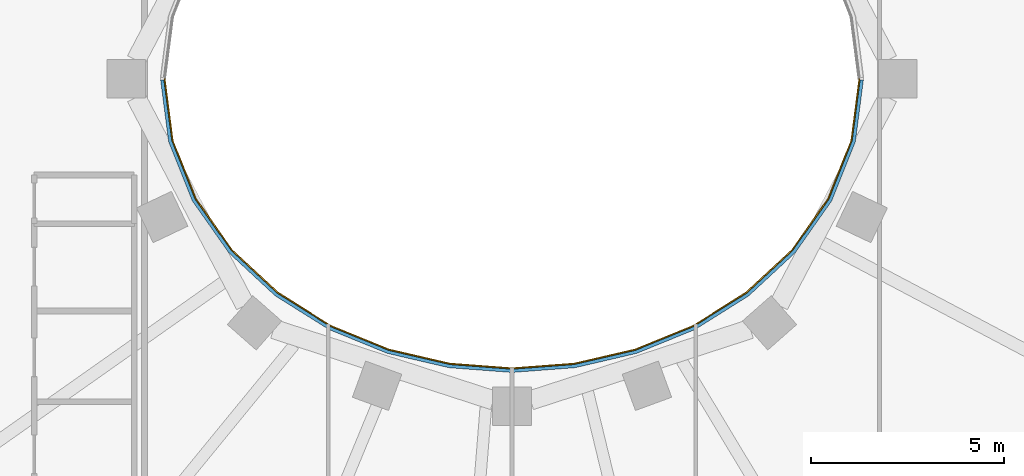
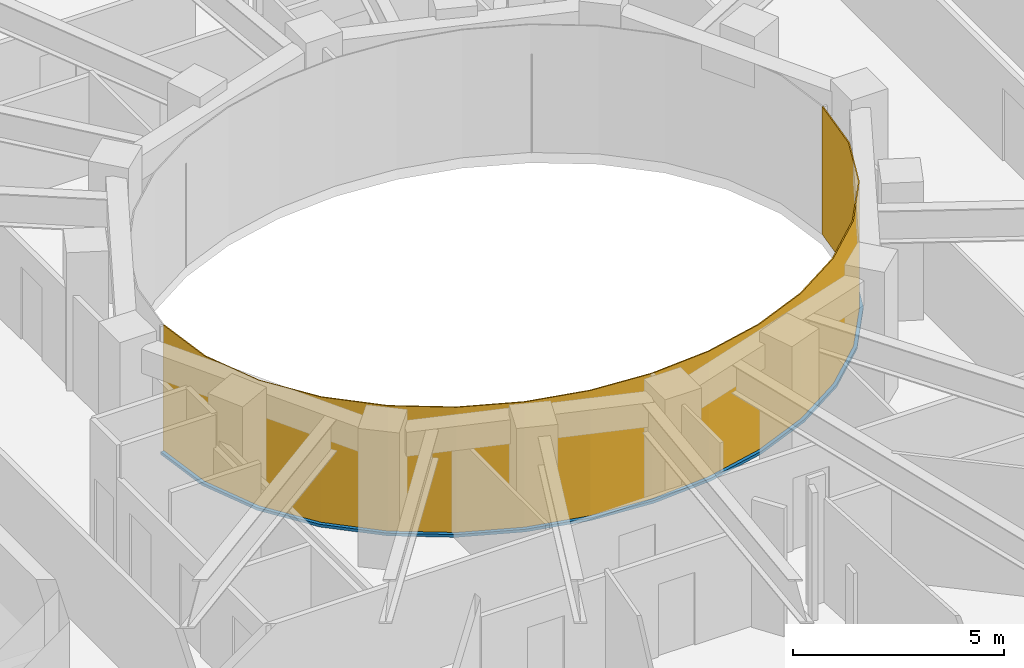
# One storey, part 9 of 19: 1 curtain wall, 1 member.
"""IFC4 building model written with IfcOpenShell, lengths in metres."""

import ifcopenshell
import ifcopenshell.guid

model = None  # the IFC model being written
_history = None  # IfcOwnerHistory: only IFC2X3 demands one
_inside = {}  # id of a spatial element -> (the spatial element, [elements in it])
_under = {}  # id of a project, library or spatial element -> (it, [spatial elements below it])
_declared = {}  # id of a project -> (the project, [libraries it declares])
_typed = {}  # id of a type object -> (the type object, [elements of that type])
_made_of = {}  # id of a material, layer set ... -> (it, [elements and type objects made of it])


def new_model(schema):
    """Start an empty IFC model of exactly this schema.

    Asked for "IFC4X3", IfcOpenShell would pick the latest addendum, in which some entities
    have other attributes; the version numbers below select the first issue.
    IFC2X3 requires an IfcOwnerHistory on every rooted entity: one is made here for all.
    """
    global model, _history
    if schema == "IFC4X3":
        model = ifcopenshell.file(schema_version=(4, 3, 0, 0))
    else:
        model = ifcopenshell.file(schema=schema)
    _inside.clear()
    _under.clear()
    _declared.clear()
    _typed.clear()
    _made_of.clear()
    _history = None
    if model.schema == "IFC2X3":
        org = make("IfcOrganization", Name="unknown")
        user = make(
            "IfcPersonAndOrganization",
            ThePerson=make("IfcPerson", FamilyName="unknown"),
            TheOrganization=org,
        )
        app = make(
            "IfcApplication",
            ApplicationDeveloper=org,
            Version="unknown",
            ApplicationFullName="unknown",
            ApplicationIdentifier="unknown",
        )
        _history = make(
            "IfcOwnerHistory",
            OwningUser=user,
            OwningApplication=app,
            ChangeAction="ADDED",
            CreationDate=0,
        )
    return model


def make(cls, **values):
    """One entity of the class cls with the attributes given. An attribute that is None is left unset."""
    return model.create_entity(
        cls, **{name: value for name, value in values.items() if value is not None}
    )


def rooted(cls, **values):
    """An entity with a GlobalId (a new one), such as an element, a storey or a relation."""
    return make(cls, GlobalId=ifcopenshell.guid.new(), OwnerHistory=_history, **values)


def si_unit(unit_type, name, prefix=None):
    """IfcSIUnit, for example si_unit("LENGTHUNIT", "METRE", prefix="MILLI")."""
    return make("IfcSIUnit", UnitType=unit_type, Prefix=prefix, Name=name)


def assignment(units):
    """IfcUnitAssignment: the units of a project."""
    return None if units is None else make("IfcUnitAssignment", Units=units)


def point(xyz):
    """IfcCartesianPoint."""
    return None if xyz is None else make("IfcCartesianPoint", Coordinates=xyz)


def direction(xyz):
    """IfcDirection."""
    return None if xyz is None else make("IfcDirection", DirectionRatios=xyz)


def frame(location, z_axis=None, x_axis=None):
    """IfcAxis2Placement3D, a coordinate frame: its origin and axes. An axis left out is left unset."""
    return make(
        "IfcAxis2Placement3D",
        Location=point(location),
        Axis=direction(z_axis),
        RefDirection=direction(x_axis),
    )


def origin():
    """The frame at (0, 0, 0) with its axes left unset."""
    return frame((0.0, 0.0, 0.0))


def place(relative_to, where):
    """IfcLocalPlacement: puts the frame where relative to a parent placement (None: the world)."""
    return make(
        "IfcLocalPlacement", PlacementRelTo=relative_to, RelativePlacement=where
    )


def context(
    kind, dimensions, precision=None, world=None, true_north=None, identifier=None
):
    """IfcGeometricRepresentationContext, for example the 3D "Model" context."""
    return make(
        "IfcGeometricRepresentationContext",
        ContextIdentifier=identifier,
        ContextType=kind,
        CoordinateSpaceDimension=dimensions,
        Precision=precision,
        WorldCoordinateSystem=world,
        TrueNorth=true_north,
    )


def subcontext(parent, identifier, kind, view, scale=None):
    """IfcGeometricRepresentationSubContext, for example "Body" below "Model"."""
    return make(
        "IfcGeometricRepresentationSubContext",
        ContextIdentifier=identifier,
        ContextType=kind,
        ParentContext=parent,
        TargetScale=scale,
        TargetView=view,
    )


def project(units=None, contexts=None):
    """IfcProject with its units and contexts."""
    return rooted(
        "IfcProject",
        Name="project",
        RepresentationContexts=contexts,
        UnitsInContext=assignment(units),
    )


def spatial(cls, under=None, at=None, **own):
    """A site, building, storey or space (cls), placed at a placement, below another one or the project."""
    s = rooted(cls, ObjectPlacement=at, **own)
    if under is not None:
        _under.setdefault(under.id(), (under, []))[1].append(s)
    return s


def polyline(points):
    """IfcPolyline through the points."""
    return make("IfcPolyline", Points=[point(p) for p in points])


def outline(outer, holes=None, kind="AREA"):
    """IfcArbitraryClosedProfileDef: a profile drawn as a closed curve; with holes, ...WithVoids."""
    if holes is None:
        return make("IfcArbitraryClosedProfileDef", ProfileType=kind, OuterCurve=outer)
    return make(
        "IfcArbitraryProfileDefWithVoids",
        ProfileType=kind,
        OuterCurve=outer,
        InnerCurves=holes,
    )


def extrude(swept, where, along, depth):
    """IfcExtrudedAreaSolid: the profile swept, set in the frame where, extruded along a direction by depth."""
    return make(
        "IfcExtrudedAreaSolid",
        SweptArea=swept,
        Position=where,
        ExtrudedDirection=direction(along),
        Depth=depth,
    )


def shape(context_of_items, identifier, shape_type, items):
    """IfcShapeRepresentation: the items that make up one representation, for example the "Body"."""
    return make(
        "IfcShapeRepresentation",
        ContextOfItems=context_of_items,
        RepresentationIdentifier=identifier,
        RepresentationType=shape_type,
        Items=items,
    )


def material(Name=None, Category=None):
    """IfcMaterial."""
    return make("IfcMaterial", Name=Name, Category=Category)


def layer(
    of_material, thickness, ventilated=None, Name=None, Category=None, Priority=None
):
    """IfcMaterialLayer: one layer of a wall or slab, of a material (None: an air gap)."""
    return make(
        "IfcMaterialLayer",
        Material=of_material,
        LayerThickness=thickness,
        IsVentilated=ventilated,
        Name=Name,
        Category=Category,
        Priority=Priority,
    )


def layer_set(layers, Name=None):
    """IfcMaterialLayerSet."""
    return make("IfcMaterialLayerSet", MaterialLayers=layers, LayerSetName=Name)


def made_of(thing, what):
    """Note that an element or type object is made of a material, layer set ...; save() writes the relation."""
    if what is not None:
        _made_of.setdefault(what.id(), (what, []))[1].append(thing)
    return thing


def type_object(cls, material=None, **own):
    """A type object (cls), such as IfcWallType, which elements share."""
    return made_of(rooted(cls, **own), material)


def element(
    cls,
    number,
    at=None,
    inside=None,
    cuts=None,
    type_object=None,
    material=None,
    context=None,
    identifier="Body",
    shape_type=None,
    held_by="IfcProductDefinitionShape",
    body=None,
    shapes=None,
    **own,
):
    """One element of the class cls, such as IfcWall. Its Tag is "e" and its number.

    at: its placement. inside: the storey or other place that contains it. cuts: it is an
    opening in that element (IfcRelVoidsElement). A single representation is given by context,
    identifier, shape_type and body (its items); several are given by shapes. held_by: the class
    of the entity that holds the representations. save() writes the other relations.
    """
    e = rooted(cls, Tag="e%d" % number, ObjectPlacement=at, **own)
    if body is not None:
        shapes = [shape(context, identifier, shape_type, body)]
    if shapes is not None:
        e.Representation = make(held_by, Representations=shapes)
    if inside is not None:
        _inside.setdefault(inside.id(), (inside, []))[1].append(e)
    if cuts is not None:
        rooted(
            "IfcRelVoidsElement", RelatingBuildingElement=cuts, RelatedOpeningElement=e
        )
    if type_object is not None:
        _typed.setdefault(type_object.id(), (type_object, []))[1].append(e)
    return made_of(e, material)


def aggregate(whole, parts):
    """IfcRelAggregates: a whole, such as a stair, and the parts it consists of."""
    return rooted("IfcRelAggregates", RelatingObject=whole, RelatedObjects=parts)


def save(model, path):
    """Write the relations noted so far, then the file.

    IfcRelAggregates (storeys below a building ...), IfcRelContainedInSpatialStructure (elements
    in a storey), IfcRelDefinesByType, IfcRelAssociatesMaterial and IfcRelDeclares: one each for
    every whole, place, type object, material and project.
    """
    for whole, parts in _under.values():
        aggregate(whole, parts)
    for where, things in _inside.values():
        rooted(
            "IfcRelContainedInSpatialStructure",
            RelatedElements=things,
            RelatingStructure=where,
        )
    for kind, things in _typed.values():
        rooted("IfcRelDefinesByType", RelatedObjects=things, RelatingType=kind)
    for what, things in _made_of.values():
        rooted("IfcRelAssociatesMaterial", RelatedObjects=things, RelatingMaterial=what)
    for by, libraries in _declared.values():
        rooted("IfcRelDeclares", RelatingContext=by, RelatedDefinitions=libraries)
    model.write(path)


model = new_model("IFC4")

# Units and contexts
model_context = context("Model", 3, precision=1e-05, world=origin(), true_north=direction((0.0, 1.0)))
body_context = subcontext(model_context, "Body", "Model", "MODEL_VIEW")
ifc_project = project(units=[si_unit("LENGTHUNIT", "METRE"), si_unit("AREAUNIT", "SQUARE_METRE"), si_unit("VOLUMEUNIT", "CUBIC_METRE"), si_unit("PLANEANGLEUNIT", "RADIAN"), si_unit("MASSUNIT", "GRAM", prefix="KILO")], contexts=[model_context])

# Member
ifc_material_1 = material(Name="Steel S355 fire-resisting frame", Category="steel")
member_type = type_object("IfcMemberType", Name="ENV-TRANSOM-W", PredefinedType="USERDEFINED", material=ifc_material_1)
site_placement = place(None, origin())
building_placement = place(site_placement, origin())
storey_placement = place(building_placement, frame((0.0, 0.0, 233.5)))
member_placement = place(storey_placement, origin())
member = element("IfcMember", 1, at=member_placement, type_object=member_type, Name="Transom W well 17-01", ObjectType="TRANSOM", PredefinedType="USERDEFINED", context=body_context, shape_type="SweptSolid", body=[
    extrude(outline(polyline([(-9.119384765625, -0.02783203125), (-8.910400390625, -1.63623046875), (-8.29833984375, -3.167236328125), (-7.35107421875, -4.5146484375), (-6.1455078125, -5.6337890625), (-4.75341796875, -6.50634765625), (-3.233642578125, -7.127685546875), (-1.635498046875, -7.498779296875), (0.0, -7.622314453125), (1.635498046875, -7.498779296875), (3.233642578125, -7.127685546875), (4.75341796875, -6.50634765625), (6.1455078125, -5.6337890625), (7.35107421875, -4.5146484375), (8.29833984375, -3.167236328125), (8.910400390625, -1.63623046875), (9.119384765625, -0.02783203125), (9.02880859375, -0.02783203125), (8.822509765625, -1.61328125), (8.21875, -3.124267578125), (7.282958984375, -4.455078125), (6.090576171875, -5.56201171875), (4.712158203125, -6.426025390625), (3.206298828125, -7.04150390625), (1.621826171875, -7.40966796875), (0.0, -7.531982421875), (-1.621826171875, -7.40966796875), (-3.206298828125, -7.04150390625), (-4.712158203125, -6.426025390625), (-6.090576171875, -5.56201171875), (-7.282958984375, -4.455078125), (-8.21875, -3.124267578125), (-8.822509765625, -1.61328125), (-9.02880859375, -0.02783203125), (-9.119384765625, -0.02783203125)])), origin(), (0.0, 0.0, 1.0), 0.080078125),
])

# Site, building, storey
site = spatial("IfcSite", under=ifc_project, at=site_placement, CompositionType="ELEMENT")
building = spatial("IfcBuilding", under=site, at=building_placement, Name="Noorbagh Ring Tower", CompositionType="ELEMENT")
storey = spatial("IfcBuildingStorey", under=building, at=storey_placement, Name="L48", CompositionType="ELEMENT", Elevation=233.5)

# Curtain wall
ifc_material_2 = material(Name="Glass fire-resisting E60 laminated", Category="glass")
ifc_layer = layer(ifc_material_2, 0.031982421875)
ifc_layer_set = layer_set([ifc_layer], Name="Glass fire-resisting E60 laminated")
curtain_wall_type = type_object("IfcCurtainWallType", Name="ENV-CW-W", PredefinedType="NOTDEFINED", material=ifc_layer_set)
curtain_wall_placement = place(storey_placement, origin())
curtain_wall = element("IfcCurtainWall", 2, at=curtain_wall_placement, inside=storey, type_object=curtain_wall_type, Name="Curtain wall W W17", PredefinedType="NOTDEFINED", context=body_context, shape_type="SweptSolid", body=[
    extrude(outline(polyline([(-9.0322265625, 0.0), (-8.822509765625, -1.61328125), (-8.21875, -3.124267578125), (-7.282958984375, -4.455078125), (-6.090576171875, -5.56201171875), (-4.712158203125, -6.426025390625), (-3.206298828125, -7.04150390625), (-1.621826171875, -7.40966796875), (0.0, -7.531982421875), (1.621826171875, -7.40966796875), (3.206298828125, -7.04150390625), (4.712158203125, -6.426025390625), (6.090576171875, -5.56201171875), (7.282958984375, -4.455078125), (8.21875, -3.124267578125), (8.822509765625, -1.61328125), (9.0322265625, 0.0), (9.0, 0.0), (8.79150390625, -1.605224609375), (8.1904296875, -3.10888671875), (7.2587890625, -4.43408203125), (6.071044921875, -5.53662109375), (4.697509765625, -6.3974609375), (3.196533203125, -7.010986328125), (1.6171875, -7.3779296875), (0.0, -7.5), (-1.6171875, -7.3779296875), (-3.196533203125, -7.010986328125), (-4.697509765625, -6.3974609375), (-6.071044921875, -5.53662109375), (-7.2587890625, -4.43408203125), (-8.1904296875, -3.10888671875), (-8.79150390625, -1.605224609375), (-9.0, 0.0), (-9.0322265625, 0.0)])), origin(), (0.0, 0.0, 1.0), 3.699951171875),
])

aggregate(curtain_wall, [member])

save(model, "model.ifc")
